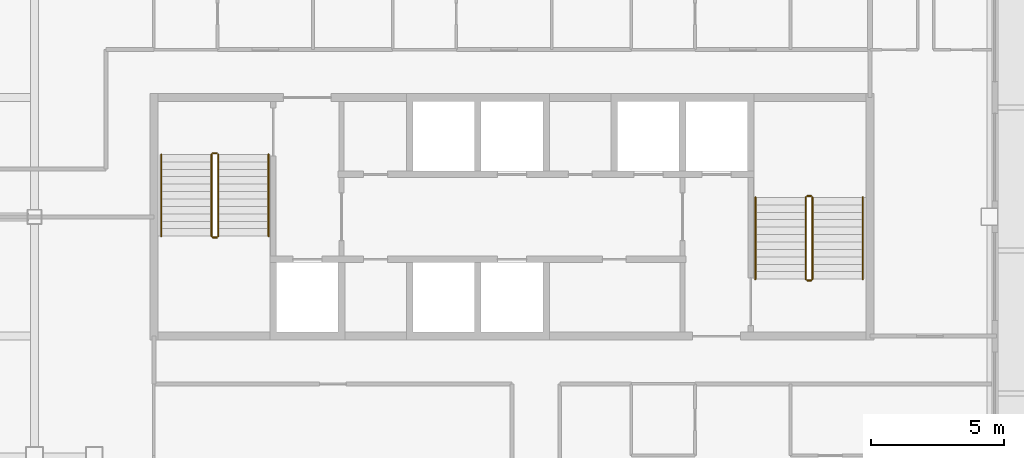
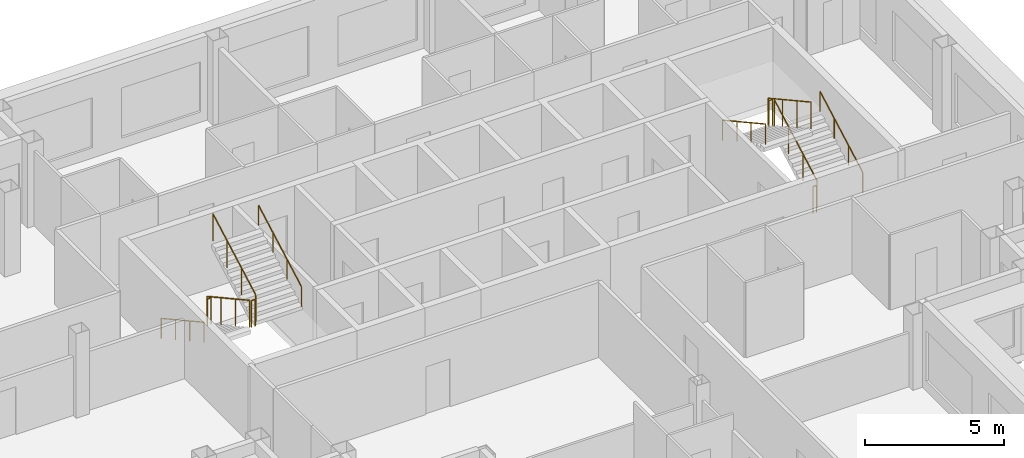
# One storey, part 11 of 11: 12 railings.
"""IFC4 building model written with IfcOpenShell, lengths in metres."""

from ifc_helpers import new_model, si_unit, direction, frame, origin, origin_2d, place, context, subcontext, project, spatial, circle, extrude, material, type_object, element, save


model = new_model("IFC4")

# Units and contexts
model_context = context("Model", 3, precision=1e-05, world=origin(), true_north=direction((0.0, 1.0)))
body_context = subcontext(model_context, "Body", "Model", "MODEL_VIEW")
ifc_project = project(units=[si_unit("LENGTHUNIT", "METRE"), si_unit("AREAUNIT", "SQUARE_METRE"), si_unit("VOLUMEUNIT", "CUBIC_METRE"), si_unit("PLANEANGLEUNIT", "RADIAN"), si_unit("MASSUNIT", "GRAM", prefix="KILO")], contexts=[model_context])

# Site, building, storey
site_placement = place(None, origin())
site = spatial("IfcSite", under=ifc_project, at=site_placement, CompositionType="ELEMENT")
building_placement = place(site_placement, origin())
building = spatial("IfcBuilding", under=site, at=building_placement, Name="Caravel Reach Hotel and Residences", CompositionType="ELEMENT")
storey_placement = place(building_placement, frame((0.0, 0.0, 229.39990234375)))
storey = spatial("IfcBuildingStorey", under=building, at=storey_placement, Name="L58", CompositionType="ELEMENT", Elevation=229.39990234375)

# Railings
ifc_material_1 = material(Name="Steel balustrade with glass infill", Category="steel")
railing_type_1 = type_object("IfcRailingType", Name="Guard 1200", PredefinedType="GUARDRAIL", material=ifc_material_1)
railing_1_placement = place(storey_placement, frame((20.175048828125, 29.35009765625, 0.154296875)))
element("IfcRailing", 1, at=railing_1_placement, inside=storey, type_object=railing_type_1, Name="L58 ST-A stair guard 1", PredefinedType="GUARDRAIL", context=body_context, shape_type="SweptSolid", body=[
    extrude(circle(Radius=0.02392578125, at=origin_2d()), frame((0.0, 0.0, 1.17578125), z_axis=(0.0, -0.876004717809, 0.482302534076), x_axis=(1.0, 0.0, 0.0)), (0.0, 0.0, 1.0), 3.51611328125),
    extrude(circle(Radius=0.02099609375, at=origin_2d()), origin(), (0.0, 0.0, 1.0), 1.15185546875),
    extrude(circle(Radius=0.02099609375, at=origin_2d()), frame((0.0, -1.026611328125, 0.565185546875)), (0.0, 0.0, 1.0), 1.15185546875),
    extrude(circle(Radius=0.02099609375, at=origin_2d()), frame((0.0, -2.053466796875, 1.130615234375)), (0.0, 0.0, 1.0), 1.15185546875),
    extrude(circle(Radius=0.02099609375, at=origin_2d()), frame((0.0, -3.080078125, 1.69580078125)), (0.0, 0.0, 1.0), 1.15185546875),
])
railing_2_placement = place(storey_placement, frame((20.22509765625, 26.219970703125, 1.85009765625)))
element("IfcRailing", 2, at=railing_2_placement, inside=storey, type_object=railing_type_1, Name="L58 ST-A stair guard 2", PredefinedType="GUARDRAIL", context=body_context, shape_type="SweptSolid", body=[
    extrude(circle(Radius=0.02392578125, at=origin_2d()), frame((0.0, 0.0, 1.17578125), z_axis=(1.0, 0.0, 0.0), x_axis=(0.0, 1.0, 0.0)), (0.0, 0.0, 1.0), 0.14990234375),
    extrude(circle(Radius=0.02099609375, at=origin_2d()), origin(), (0.0, 0.0, 1.0), 1.15185546875),
    extrude(circle(Radius=0.02099609375, at=origin_2d()), frame((0.14990234375, 0.0, 0.0)), (0.0, 0.0, 1.0), 1.15185546875),
])
railing_3_placement = place(storey_placement, frame((20.425048828125, 26.27001953125, 2.004150390625)))
element("IfcRailing", 3, at=railing_3_placement, inside=storey, type_object=railing_type_1, Name="L58 ST-A stair guard 3", PredefinedType="GUARDRAIL", context=body_context, shape_type="SweptSolid", body=[
    extrude(circle(Radius=0.02392578125, at=origin_2d()), frame((0.0, 0.0, 1.17578125), z_axis=(0.0, 0.875975380505, 0.482355815502), x_axis=(-1.0, 0.0, 0.0)), (0.0, 0.0, 1.0), 3.51611328125),
    extrude(circle(Radius=0.02099609375, at=origin_2d()), origin(), (0.0, 0.0, 1.0), 1.15185546875),
    extrude(circle(Radius=0.02099609375, at=origin_2d()), frame((0.0, 1.026611328125, 0.5654296875)), (0.0, 0.0, 1.0), 1.15185546875),
    extrude(circle(Radius=0.02099609375, at=origin_2d()), frame((0.0, 2.053466796875, 1.130615234375)), (0.0, 0.0, 1.0), 1.15185546875),
    extrude(circle(Radius=0.02099609375, at=origin_2d()), frame((0.0, 3.080078125, 1.696044921875)), (0.0, 0.0, 1.0), 1.15185546875),
])
railing_4_placement = place(storey_placement, frame((20.22509765625, 29.39990234375, 0.0)))
element("IfcRailing", 4, at=railing_4_placement, inside=storey, type_object=railing_type_1, Name="L58 ST-A stair guard 4", PredefinedType="GUARDRAIL", context=body_context, shape_type="SweptSolid", body=[
    extrude(circle(Radius=0.02392578125, at=origin_2d()), frame((0.0, 0.0, 1.17578125), z_axis=(1.0, 0.0, 0.0), x_axis=(0.0, 1.0, 0.0)), (0.0, 0.0, 1.0), 0.14990234375),
    extrude(circle(Radius=0.02099609375, at=origin_2d()), origin(), (0.0, 0.0, 1.0), 1.15185546875),
    extrude(circle(Radius=0.02099609375, at=origin_2d()), frame((0.14990234375, 0.0, 0.0)), (0.0, 0.0, 1.0), 1.15185546875),
])
railing_5_placement = place(storey_placement, frame((42.824951171875, 24.64990234375, 0.154296875)))
element("IfcRailing", 5, at=railing_5_placement, inside=storey, type_object=railing_type_1, Name="L58 ST-B stair guard 1", PredefinedType="GUARDRAIL", context=body_context, shape_type="SweptSolid", body=[
    extrude(circle(Radius=0.02392578125, at=origin_2d()), frame((0.0, 0.0, 1.17578125), z_axis=(0.0, 0.876004717809, 0.482302534076), x_axis=(-1.0, 0.0, 0.0)), (0.0, 0.0, 1.0), 3.51611328125),
    extrude(circle(Radius=0.02099609375, at=origin_2d()), origin(), (0.0, 0.0, 1.0), 1.15185546875),
    extrude(circle(Radius=0.02099609375, at=origin_2d()), frame((0.0, 1.026611328125, 0.565185546875)), (0.0, 0.0, 1.0), 1.15185546875),
    extrude(circle(Radius=0.02099609375, at=origin_2d()), frame((0.0, 2.053466796875, 1.130615234375)), (0.0, 0.0, 1.0), 1.15185546875),
    extrude(circle(Radius=0.02099609375, at=origin_2d()), frame((0.0, 3.080078125, 1.69580078125)), (0.0, 0.0, 1.0), 1.15185546875),
])
railing_6_placement = place(storey_placement, frame((42.77490234375, 27.780029296875, 1.85009765625)))
element("IfcRailing", 6, at=railing_6_placement, inside=storey, type_object=railing_type_1, Name="L58 ST-B stair guard 2", PredefinedType="GUARDRAIL", context=body_context, shape_type="SweptSolid", body=[
    extrude(circle(Radius=0.02392578125, at=origin_2d()), frame((0.0, 0.0, 1.17578125), z_axis=(-1.0, 0.0, 0.0), x_axis=(0.0, -1.0, 0.0)), (0.0, 0.0, 1.0), 0.14990234375),
    extrude(circle(Radius=0.02099609375, at=origin_2d()), origin(), (0.0, 0.0, 1.0), 1.15185546875),
    extrude(circle(Radius=0.02099609375, at=origin_2d()), frame((-0.14990234375, 0.0, 0.0)), (0.0, 0.0, 1.0), 1.15185546875),
])
railing_7_placement = place(storey_placement, frame((42.574951171875, 27.72998046875, 2.004150390625)))
element("IfcRailing", 7, at=railing_7_placement, inside=storey, type_object=railing_type_1, Name="L58 ST-B stair guard 3", PredefinedType="GUARDRAIL", context=body_context, shape_type="SweptSolid", body=[
    extrude(circle(Radius=0.02392578125, at=origin_2d()), frame((0.0, 0.0, 1.17578125), z_axis=(0.0, -0.875975380505, 0.482355815502), x_axis=(1.0, 0.0, 0.0)), (0.0, 0.0, 1.0), 3.51611328125),
    extrude(circle(Radius=0.02099609375, at=origin_2d()), origin(), (0.0, 0.0, 1.0), 1.15185546875),
    extrude(circle(Radius=0.02099609375, at=origin_2d()), frame((0.0, -1.026611328125, 0.5654296875)), (0.0, 0.0, 1.0), 1.15185546875),
    extrude(circle(Radius=0.02099609375, at=origin_2d()), frame((0.0, -2.053466796875, 1.130615234375)), (0.0, 0.0, 1.0), 1.15185546875),
    extrude(circle(Radius=0.02099609375, at=origin_2d()), frame((0.0, -3.080078125, 1.696044921875)), (0.0, 0.0, 1.0), 1.15185546875),
])
railing_8_placement = place(storey_placement, frame((42.77490234375, 24.60009765625, 0.0)))
element("IfcRailing", 8, at=railing_8_placement, inside=storey, type_object=railing_type_1, Name="L58 ST-B stair guard 4", PredefinedType="GUARDRAIL", context=body_context, shape_type="SweptSolid", body=[
    extrude(circle(Radius=0.02392578125, at=origin_2d()), frame((0.0, 0.0, 1.17578125), z_axis=(-1.0, 0.0, 0.0), x_axis=(0.0, -1.0, 0.0)), (0.0, 0.0, 1.0), 0.14990234375),
    extrude(circle(Radius=0.02099609375, at=origin_2d()), origin(), (0.0, 0.0, 1.0), 1.15185546875),
    extrude(circle(Radius=0.02099609375, at=origin_2d()), frame((-0.14990234375, 0.0, 0.0)), (0.0, 0.0, 1.0), 1.15185546875),
])
ifc_material_2 = material(Name="Stainless steel handrail", Category="steel")
railing_type_2 = type_object("IfcRailingType", Name="Handrail 900", PredefinedType="HANDRAIL", material=ifc_material_2)
railing_9_placement = place(storey_placement, frame((18.27490234375, 29.35009765625, 0.154296875)))
element("IfcRailing", 9, at=railing_9_placement, inside=storey, type_object=railing_type_2, Name="L58 ST-A stair handrail 1", PredefinedType="HANDRAIL", context=body_context, shape_type="SweptSolid", body=[
    extrude(circle(Radius=0.02392578125, at=origin_2d()), frame((0.0, 0.0, 0.8759765625), z_axis=(0.0, -0.876004717809, 0.482302534076), x_axis=(1.0, 0.0, 0.0)), (0.0, 0.0, 1.0), 3.51611328125),
    extrude(circle(Radius=0.02099609375, at=origin_2d()), origin(), (0.0, 0.0, 1.0), 0.851806640625),
    extrude(circle(Radius=0.02099609375, at=origin_2d()), frame((0.0, -1.026611328125, 0.565185546875)), (0.0, 0.0, 1.0), 0.851806640625),
    extrude(circle(Radius=0.02099609375, at=origin_2d()), frame((0.0, -2.053466796875, 1.130615234375)), (0.0, 0.0, 1.0), 0.851806640625),
    extrude(circle(Radius=0.02099609375, at=origin_2d()), frame((0.0, -3.080078125, 1.69580078125)), (0.0, 0.0, 1.0), 0.851806640625),
])
railing_10_placement = place(storey_placement, frame((22.324951171875, 26.27001953125, 2.004150390625)))
element("IfcRailing", 10, at=railing_10_placement, inside=storey, type_object=railing_type_2, Name="L58 ST-A stair handrail 2", PredefinedType="HANDRAIL", context=body_context, shape_type="SweptSolid", body=[
    extrude(circle(Radius=0.02392578125, at=origin_2d()), frame((0.0, 0.0, 0.8759765625), z_axis=(0.0, 0.875975380505, 0.482355815502), x_axis=(-1.0, 0.0, 0.0)), (0.0, 0.0, 1.0), 3.51611328125),
    extrude(circle(Radius=0.02099609375, at=origin_2d()), origin(), (0.0, 0.0, 1.0), 0.851806640625),
    extrude(circle(Radius=0.02099609375, at=origin_2d()), frame((0.0, 1.026611328125, 0.5654296875)), (0.0, 0.0, 1.0), 0.851806640625),
    extrude(circle(Radius=0.02099609375, at=origin_2d()), frame((0.0, 2.053466796875, 1.130615234375)), (0.0, 0.0, 1.0), 0.851806640625),
    extrude(circle(Radius=0.02099609375, at=origin_2d()), frame((0.0, 3.080078125, 1.696044921875)), (0.0, 0.0, 1.0), 0.851806640625),
])
railing_11_placement = place(storey_placement, frame((44.72509765625, 24.64990234375, 0.154296875)))
element("IfcRailing", 11, at=railing_11_placement, inside=storey, type_object=railing_type_2, Name="L58 ST-B stair handrail 1", PredefinedType="HANDRAIL", context=body_context, shape_type="SweptSolid", body=[
    extrude(circle(Radius=0.02392578125, at=origin_2d()), frame((0.0, 0.0, 0.8759765625), z_axis=(0.0, 0.876004717809, 0.482302534076), x_axis=(-1.0, 0.0, 0.0)), (0.0, 0.0, 1.0), 3.51611328125),
    extrude(circle(Radius=0.02099609375, at=origin_2d()), origin(), (0.0, 0.0, 1.0), 0.851806640625),
    extrude(circle(Radius=0.02099609375, at=origin_2d()), frame((0.0, 1.026611328125, 0.565185546875)), (0.0, 0.0, 1.0), 0.851806640625),
    extrude(circle(Radius=0.02099609375, at=origin_2d()), frame((0.0, 2.053466796875, 1.130615234375)), (0.0, 0.0, 1.0), 0.851806640625),
    extrude(circle(Radius=0.02099609375, at=origin_2d()), frame((0.0, 3.080078125, 1.69580078125)), (0.0, 0.0, 1.0), 0.851806640625),
])
railing_12_placement = place(storey_placement, frame((40.675048828125, 27.72998046875, 2.004150390625)))
element("IfcRailing", 12, at=railing_12_placement, inside=storey, type_object=railing_type_2, Name="L58 ST-B stair handrail 2", PredefinedType="HANDRAIL", context=body_context, shape_type="SweptSolid", body=[
    extrude(circle(Radius=0.02392578125, at=origin_2d()), frame((0.0, 0.0, 0.8759765625), z_axis=(0.0, -0.875975380505, 0.482355815502), x_axis=(1.0, 0.0, 0.0)), (0.0, 0.0, 1.0), 3.51611328125),
    extrude(circle(Radius=0.02099609375, at=origin_2d()), origin(), (0.0, 0.0, 1.0), 0.851806640625),
    extrude(circle(Radius=0.02099609375, at=origin_2d()), frame((0.0, -1.026611328125, 0.5654296875)), (0.0, 0.0, 1.0), 0.851806640625),
    extrude(circle(Radius=0.02099609375, at=origin_2d()), frame((0.0, -2.053466796875, 1.130615234375)), (0.0, 0.0, 1.0), 0.851806640625),
    extrude(circle(Radius=0.02099609375, at=origin_2d()), frame((0.0, -3.080078125, 1.696044921875)), (0.0, 0.0, 1.0), 0.851806640625),
])

save(model, "model.ifc")
